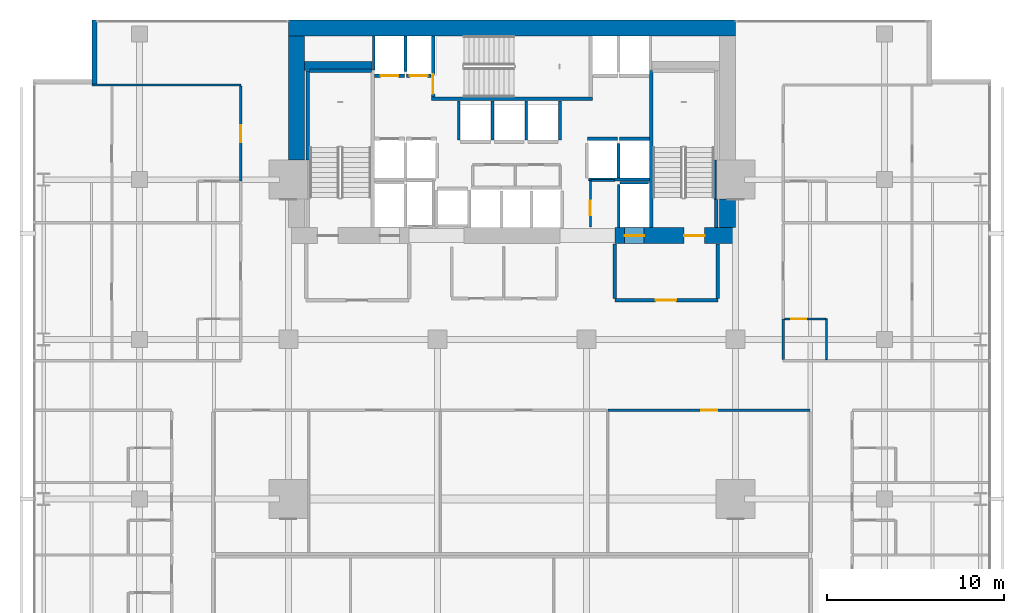
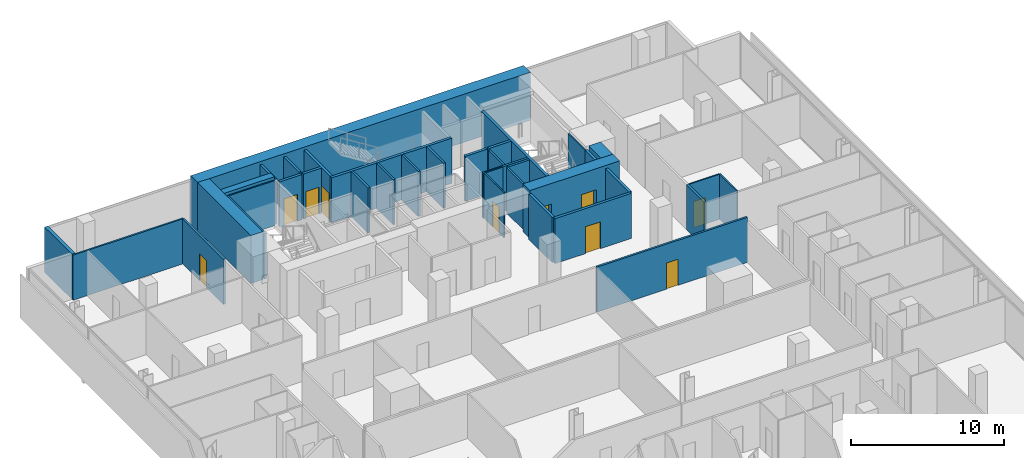
# One storey, part 37 of 41: 38 walls, 10 doors, 10 openings.
"""IFC4 building model written with IfcOpenShell, lengths in metres."""

from ifc_helpers import new_model, si_unit, direction, frame, frame_2d, origin, place, context, subcontext, project, spatial, rectangle, extrude, material, layer, layer_set, type_object, element, fill, save


model = new_model("IFC4")

# Units and contexts
model_context = context("Model", 3, precision=1e-05, world=origin(), true_north=direction((0.0, 1.0)))
body_context = subcontext(model_context, "Body", "Model", "MODEL_VIEW")
ifc_project = project(units=[si_unit("LENGTHUNIT", "METRE"), si_unit("AREAUNIT", "SQUARE_METRE"), si_unit("VOLUMEUNIT", "CUBIC_METRE"), si_unit("PLANEANGLEUNIT", "RADIAN"), si_unit("MASSUNIT", "GRAM", prefix="KILO")], contexts=[model_context])

# Site, building, storey
site_placement = place(None, origin())
site = spatial("IfcSite", under=ifc_project, at=site_placement, CompositionType="ELEMENT")
building_placement = place(site_placement, origin())
building = spatial("IfcBuilding", under=site, at=building_placement, Name="Maruvema Waterfront Hotel and Observation Tower", CompositionType="ELEMENT")
storey_placement = place(building_placement, frame((0.0, 0.0, 61.60009765625)))
storey = spatial("IfcBuildingStorey", under=building, at=storey_placement, Name="L14", CompositionType="ELEMENT", Elevation=61.60009765625)

# Wall, opening, door
ifc_material_1 = material(Name="Twin-stud acoustic gypsum drywall", Category="gypsum")
ifc_layer_1 = layer(ifc_material_1, 0.14990234375, Name="Acoustic Corridor and Suite Demising Wall 150 mm")
ifc_layer_set_1 = layer_set([ifc_layer_1], Name="Twin-stud acoustic gypsum drywall")
wall_type_1 = type_object("IfcWallType", Name="Acoustic Corridor and Suite Demising Wall 150 mm", PredefinedType="PARTITIONING", material=ifc_layer_set_1)
wall_1_placement = place(storey_placement, frame((43.221923828125, 32.0, 0.0), z_axis=(0.0, 0.0, 1.0), x_axis=(1.0, 0.0, 0.0)))
wall_1 = element("IfcWall", 1, at=wall_1_placement, inside=storey, type_object=wall_type_1, Name="L14 L14-INTN Front 4 031", PredefinedType="PARTITIONING", context=body_context, shape_type="SweptSolid", body=[
    extrude(rectangle(XDim=11.3681640625, YDim=0.14990234375, at=frame_2d((5.68408203125, 0.0))), origin(), (0.0, 0.0, 1.0), 3.60986328125),
])
opening_1_placement = place(wall_1_placement, frame((5.23388671875, 0.0, 0.0)))
opening_1 = element("IfcOpeningElement", 2, at=opening_1_placement, cuts=wall_1, Name="Opening DR-090", PredefinedType="OPENING", context=body_context, shape_type="SweptSolid", body=[
    extrude(rectangle(XDim=0.89990234375, YDim=2.10009765625, at=frame_2d((0.449951171875, 1.050048828125))), frame((0.0, 0.0849609375, 0.0), z_axis=(0.0, -1.0, 0.0), x_axis=(1.0, 0.0, 0.0)), (0.0, 0.0, 1.0), 0.169921875),
])
ifc_material_2 = material(Name="Solid-core lacquered timber leaf", Category="wood")
door_type_1 = type_object("IfcDoorType", Name="Accessible Toilet and Room Door 900x2100 mm", OperationType="NOTDEFINED", PredefinedType="DOOR", material=ifc_material_2)
door_1_placement = place(opening_1_placement, origin())
door_1 = element("IfcDoor", 3, at=door_1_placement, inside=storey, type_object=door_type_1, Name="L14 Tea Kitchenette Door", OperationType="SINGLE_SWING_LEFT", OverallHeight=2.10009765625, OverallWidth=0.89990234375, PredefinedType="DOOR", context=body_context, shape_type="SweptSolid", body=[
    extrude(rectangle(XDim=0.89990234375, YDim=2.10009765625, at=frame_2d((0.449951171875, 1.050048828125))), frame((0.0, 0.02490234375, 0.0), z_axis=(0.0, -1.0, 0.0), x_axis=(1.0, 0.0, 0.0)), (0.0, 0.0, 1.0), 0.050048828125),
])
fill(opening_1, door_1)

# Wall
wall_2_placement = place(storey_placement, frame((53.080078125, 34.860107421875, 0.0), z_axis=(0.0, 0.0, 1.0), x_axis=(0.0, 1.0, 0.0)))
element("IfcWall", 4, at=wall_2_placement, inside=storey, type_object=wall_type_1, Name="L14 Bath L14-NE1 Wall 133", PredefinedType="PARTITIONING", context=body_context, shape_type="SweptSolid", body=[
    extrude(rectangle(XDim=2.289794921875, YDim=0.14990234375, at=frame_2d((1.14501953125, 0.0))), origin(), (0.0, 0.0, 1.0), 3.60986328125),
])

# Wall, opening, door
wall_3_placement = place(storey_placement, frame((22.52001953125, 44.918701171875, 0.0), z_axis=(0.0, 0.0, 1.0), x_axis=(0.0, 1.0, 0.0)))
wall_3 = element("IfcWall", 5, at=wall_3_placement, inside=storey, type_object=wall_type_1, Name="L14 Room L14-NW2 Corridor Wall 141", PredefinedType="PARTITIONING", context=body_context, shape_type="SweptSolid", body=[
    extrude(rectangle(XDim=5.35888671875, YDim=0.14990234375, at=frame_2d((2.679443359375, 0.0))), origin(), (0.0, 0.0, 1.0), 3.60986328125),
])
opening_2_placement = place(wall_3_placement, frame((2.204345703125, 0.0, 0.0)))
opening_2 = element("IfcOpeningElement", 6, at=opening_2_placement, cuts=wall_3, Name="Opening DR-095", PredefinedType="OPENING", context=body_context, shape_type="SweptSolid", body=[
    extrude(rectangle(XDim=0.949951171875, YDim=2.14990234375, at=frame_2d((0.47509765625, 1.074951171875))), frame((0.0, 0.0849609375, 0.0), z_axis=(0.0, -1.0, 0.0), x_axis=(1.0, 0.0, 0.0)), (0.0, 0.0, 1.0), 0.169921875),
])
ifc_material_3 = material(Name="Acoustic solid-core hardwood timber leaf", Category="wood")
door_type_2 = type_object("IfcDoorType", Name="Guestroom Entrance Fire Door 950x2150 mm", OperationType="NOTDEFINED", PredefinedType="DOOR", material=ifc_material_3)
door_2_placement = place(opening_2_placement, origin())
door_2 = element("IfcDoor", 7, at=door_2_placement, inside=storey, type_object=door_type_2, Name="L14 Room L14-NW2 Entrance Door", OperationType="SINGLE_SWING_RIGHT", OverallHeight=2.14990234375, OverallWidth=0.949951171875, PredefinedType="DOOR", context=body_context, shape_type="SweptSolid", body=[
    extrude(rectangle(XDim=0.949951171875, YDim=2.14990234375, at=frame_2d((0.47509765625, 1.074951171875))), frame((0.0, 0.02490234375, 0.0), z_axis=(0.0, -1.0, 0.0), x_axis=(1.0, 0.0, 0.0)), (0.0, 0.0, 1.0), 0.050048828125),
])
fill(opening_2, door_2)

# Walls
ifc_material_4 = material(Name="Precast concrete C45/55", Category="concrete")
ifc_layer_2 = layer(ifc_material_4, 0.199951171875, Name="Core Shaft and Stairwell Enclosure Wall 200 mm")
ifc_layer_set_2 = layer_set([ifc_layer_2], Name="Precast concrete C45/55")
wall_type_2 = type_object("IfcWallType", Name="Core Shaft and Stairwell Enclosure Wall 200 mm", PredefinedType="SOLIDWALL", material=ifc_layer_set_2)
wall_4_placement = place(storey_placement, frame((26.300048828125, 46.1201171875, 0.0), z_axis=(0.0, 0.0, 1.0), x_axis=(0.0, 1.0, 0.0)))
element("IfcWall", 8, at=wall_4_placement, inside=storey, type_object=wall_type_2, Name="L14 Stairwell ST-01 Shaft Lining Wall", PredefinedType="SOLIDWALL", context=body_context, shape_type="SweptSolid", body=[
    extrude(rectangle(XDim=5.0, YDim=0.199951171875, at=frame_2d((2.5, 0.0))), origin(), (0.0, 0.0, 1.0), 3.60986328125),
])
wall_5_placement = place(storey_placement, frame((26.3798828125, 51.14990234375, 0.0), z_axis=(0.0, 0.0, 1.0), x_axis=(1.0, 0.0, 0.0)))
element("IfcWall", 9, at=wall_5_placement, inside=storey, type_object=wall_type_2, Name="L14 Stairwell ST-01 Shaft Lining Wall", PredefinedType="SOLIDWALL", context=body_context, shape_type="SweptSolid", body=[
    extrude(rectangle(XDim=3.5, YDim=0.199951171875, at=frame_2d((1.75, 0.0))), origin(), (0.0, 0.0, 1.0), 3.60986328125),
])
wall_6_placement = place(storey_placement, frame((33.25, 49.550048828125, 0.0), z_axis=(0.0, 0.0, 1.0), x_axis=(1.0, 0.0, 0.0)))
element("IfcWall", 10, at=wall_6_placement, inside=storey, type_object=wall_type_2, Name="L14 Stairwell ST-02 Shaft Wall", PredefinedType="SOLIDWALL", context=body_context, shape_type="SweptSolid", body=[
    extrude(rectangle(XDim=9.10009765625, YDim=0.199951171875, at=frame_2d((4.550048828125, 0.0))), origin(), (0.0, 0.0, 1.0), 3.60986328125),
])

# Wall, opening, door
wall_7_placement = place(storey_placement, frame((33.35009765625, 49.64990234375, 0.0), z_axis=(0.0, 0.0, 1.0), x_axis=(0.0, 1.0, 0.0)))
wall_7 = element("IfcWall", 11, at=wall_7_placement, inside=storey, type_object=wall_type_2, Name="L14 Stairwell ST-02 Shaft Wall", PredefinedType="SOLIDWALL", context=body_context, shape_type="SweptSolid", body=[
    extrude(rectangle(XDim=3.4501953125, YDim=0.199951171875, at=frame_2d((1.72509765625, 0.0))), origin(), (0.0, 0.0, 1.0), 3.60986328125),
])
opening_3_placement = place(wall_7_placement, frame((0.179931640625, 0.0, 0.0)))
opening_3 = element("IfcOpeningElement", 12, at=opening_3_placement, cuts=wall_7, Name="Opening SD-02", PredefinedType="OPENING", context=body_context, shape_type="SweptSolid", body=[
    extrude(rectangle(XDim=1.10009765625, YDim=2.14990234375, at=frame_2d((0.550048828125, 1.074951171875))), frame((0.0, 0.10986328125, 0.0), z_axis=(0.0, -1.0, 0.0), x_axis=(1.0, 0.0, 0.0)), (0.0, 0.0, 1.0), 0.219970703125),
])
ifc_material_5 = material(Name="Fire-rated galvanised steel leaf", Category="steel")
door_type_3 = type_object("IfcDoorType", Name="Central Exit Stair Fire Door 1100x2150 mm", OperationType="NOTDEFINED", PredefinedType="DOOR", material=ifc_material_5)
door_3_placement = place(opening_3_placement, frame((1.10009765625, 0.0, 0.0), z_axis=(0.0, 0.0, 1.0), x_axis=(-1.0, 0.0, 0.0)))
door_3 = element("IfcDoor", 13, at=door_3_placement, inside=storey, type_object=door_type_3, Name="L14 Exit Stair ST-02 Fire Door", OperationType="SINGLE_SWING_LEFT", OverallHeight=2.14990234375, OverallWidth=1.10009765625, PredefinedType="DOOR", context=body_context, shape_type="SweptSolid", body=[
    extrude(rectangle(XDim=1.10009765625, YDim=2.14990234375, at=frame_2d((0.550048828125, 1.074951171875))), frame((0.0, 0.02490234375, 0.0), z_axis=(0.0, -1.0, 0.0), x_axis=(1.0, 0.0, 0.0)), (0.0, 0.0, 1.0), 0.050048828125),
])
fill(opening_3, door_3)

# Walls
wall_8_placement = place(storey_placement, frame((45.64990234375, 42.300048828125, 0.0), z_axis=(0.0, 0.0, 1.0), x_axis=(0.0, 1.0, 0.0)))
element("IfcWall", 14, at=wall_8_placement, inside=storey, type_object=wall_type_2, Name="L14 Stairwell ST-03 West Shaft Wall", PredefinedType="SOLIDWALL", context=body_context, shape_type="SweptSolid", body=[
    extrude(rectangle(XDim=8.849853515625, YDim=0.199951171875, at=frame_2d((4.4248046875, 0.0))), origin(), (0.0, 0.0, 1.0), 3.60986328125),
])
wall_9_placement = place(storey_placement, frame((49.300048828125, 42.300048828125, 0.0), z_axis=(0.0, 0.0, 1.0), x_axis=(0.0, 1.0, 0.0)))
element("IfcWall", 15, at=wall_9_placement, inside=storey, type_object=wall_type_2, Name="L14 Stairwell ST-03 Shaft Lining Wall", PredefinedType="SOLIDWALL", context=body_context, shape_type="SweptSolid", body=[
    extrude(rectangle(XDim=1.579833984375, YDim=0.199951171875, at=frame_2d((0.7900390625, 0.0))), origin(), (0.0, 0.0, 1.0), 3.60986328125),
])

# Wall, opening, door
wall_10_placement = place(storey_placement, frame((30.06005859375, 50.85009765625, 0.0), z_axis=(0.0, 0.0, 1.0), x_axis=(1.0, 0.0, 0.0)))
wall_10 = element("IfcWall", 16, at=wall_10_placement, inside=storey, type_object=wall_type_2, Name="L14 Lift LF-03 Hoistway Front Wall", PredefinedType="SOLIDWALL", context=body_context, shape_type="SweptSolid", body=[
    extrude(rectangle(XDim=1.679931640625, YDim=0.199951171875, at=frame_2d((0.83984375, 0.0))), origin(), (0.0, 0.0, 1.0), 3.60986328125),
])
opening_4_placement = place(wall_10_placement, frame((0.340087890625, 0.0, 0.0)))
opening_4 = element("IfcOpeningElement", 17, at=opening_4_placement, cuts=wall_10, Name="Opening LD-01", PredefinedType="OPENING", context=body_context, shape_type="SweptSolid", body=[
    extrude(rectangle(XDim=1.0, YDim=2.14990234375, at=frame_2d((0.5, 1.074951171875))), frame((0.0, 0.10986328125, 0.0), z_axis=(0.0, -1.0, 0.0), x_axis=(1.0, 0.0, 0.0)), (0.0, 0.0, 1.0), 0.219970703125),
])
ifc_material_6 = material(Name="Brushed stainless steel Grade 316", Category="steel")
door_type_4 = type_object("IfcDoorType", Name="Passenger Lift Sliding Landing Door 1000x2150 mm", OperationType="SLIDING_TO_LEFT", PredefinedType="DOOR", material=ifc_material_6)
door_4_placement = place(opening_4_placement, frame((1.0, 0.0, 0.0), z_axis=(0.0, 0.0, 1.0), x_axis=(-1.0, 0.0, 0.0)))
door_4 = element("IfcDoor", 18, at=door_4_placement, inside=storey, type_object=door_type_4, Name="L14 Lift LF-03 Sliding Landing Door", OperationType="SLIDING_TO_LEFT", OverallHeight=2.14990234375, OverallWidth=1.0, PredefinedType="DOOR", context=body_context, shape_type="SweptSolid", body=[
    extrude(rectangle(XDim=1.0, YDim=2.14990234375, at=frame_2d((0.5, 1.074951171875))), frame((0.0, 0.02490234375, 0.0), z_axis=(0.0, -1.0, 0.0), x_axis=(1.0, 0.0, 0.0)), (0.0, 0.0, 1.0), 0.050048828125),
])
fill(opening_4, door_4)

wall_11_placement = place(storey_placement, frame((31.860107421875, 50.85009765625, 0.0), z_axis=(0.0, 0.0, 1.0), x_axis=(1.0, 0.0, 0.0)))
wall_11 = element("IfcWall", 19, at=wall_11_placement, inside=storey, type_object=wall_type_2, Name="L14 Lift LF-04 Hoistway Front Wall", PredefinedType="SOLIDWALL", context=body_context, shape_type="SweptSolid", body=[
    extrude(rectangle(XDim=1.3798828125, YDim=0.199951171875, at=frame_2d((0.68994140625, 0.0))), origin(), (0.0, 0.0, 1.0), 3.60986328125),
])
opening_5_placement = place(wall_11_placement, frame((0.18994140625, 0.0, 0.0)))
opening_5 = element("IfcOpeningElement", 20, at=opening_5_placement, cuts=wall_11, Name="Opening LD-01", PredefinedType="OPENING", context=body_context, shape_type="SweptSolid", body=[
    extrude(rectangle(XDim=1.0, YDim=2.14990234375, at=frame_2d((0.5, 1.074951171875))), frame((0.0, 0.10986328125, 0.0), z_axis=(0.0, -1.0, 0.0), x_axis=(1.0, 0.0, 0.0)), (0.0, 0.0, 1.0), 0.219970703125),
])
door_5_placement = place(opening_5_placement, frame((1.0, 0.0, 0.0), z_axis=(0.0, 0.0, 1.0), x_axis=(-1.0, 0.0, 0.0)))
door_5 = element("IfcDoor", 21, at=door_5_placement, inside=storey, type_object=door_type_4, Name="L14 Lift LF-04 Sliding Landing Door", OperationType="SLIDING_TO_LEFT", OverallHeight=2.14990234375, OverallWidth=1.0, PredefinedType="DOOR", context=body_context, shape_type="SweptSolid", body=[
    extrude(rectangle(XDim=1.0, YDim=2.14990234375, at=frame_2d((0.5, 1.074951171875))), frame((0.0, 0.02490234375, 0.0), z_axis=(0.0, -1.0, 0.0), x_axis=(1.0, 0.0, 0.0)), (0.0, 0.0, 1.0), 0.050048828125),
])
fill(opening_5, door_5)

# Walls
for number, where, z_axis, x_axis, name in (
    (22, (42.06005859375, 47.300048828125, 0.0), (0.0, 0.0, 1.0), (1.0, 0.0, 0.0), "L14 Lift LF-05 Hoistway Front Wall"),
    (23, (43.860107421875, 47.300048828125, 0.0), (0.0, 0.0, 1.0), (1.0, 0.0, 0.0), "L14 Lift LF-06 Hoistway Front Wall"),
):
    element("IfcWall", number, at=place(storey_placement, frame(where, z_axis=z_axis, x_axis=x_axis)), inside=storey, type_object=wall_type_2, Name=name, PredefinedType="SOLIDWALL", context=body_context, shape_type="SweptSolid", body=[
        extrude(rectangle(XDim=1.679931640625, YDim=0.199951171875, at=frame_2d((0.83984375, 0.0))), origin(), (0.0, 0.0, 1.0), 3.60986328125),
    ])
ifc_material_7 = material(Name="Concrete C70/85", Category="concrete")
ifc_layer_3 = layer(ifc_material_7, 0.5, Name="Core Shear Wall 500 mm")
ifc_layer_set_3 = layer_set([ifc_layer_3], Name="Concrete C70/85")
wall_type_3 = type_object("IfcWallType", Name="Core Shear Wall 500 mm", PredefinedType="SHEAR", material=ifc_layer_set_3)
wall_12_placement = place(storey_placement, frame((26.10009765625, 51.39990234375, 0.0), z_axis=(0.0, 0.0, 1.0), x_axis=(1.0, 0.0, 0.0)))
element("IfcWall", 24, at=wall_12_placement, inside=storey, type_object=wall_type_3, Name="L14 Internal Core Shear Wall NW 500 mm", PredefinedType="SHEAR", context=body_context, shape_type="SweptSolid", body=[
    extrude(rectangle(XDim=3.7998046875, YDim=0.5, at=frame_2d((1.89990234375, 0.0))), origin(), (0.0, 0.0, 1.0), 3.849853515625),
])
ifc_material_8 = material(Name="Concrete C80/95", Category="concrete")
ifc_layer_4 = layer(ifc_material_8, 0.89990234375, Name="Core Shear Wall 900 mm")
ifc_layer_set_4 = layer_set([ifc_layer_4], Name="Concrete C80/95")
wall_type_4 = type_object("IfcWallType", Name="Core Shear Wall 900 mm", PredefinedType="SHEAR", material=ifc_layer_set_4)
wall_13_placement = place(storey_placement, frame((25.199951171875, 53.550048828125, 0.0), z_axis=(0.0, 0.0, 1.0), x_axis=(1.0, 0.0, 0.0)))
element("IfcWall", 25, at=wall_13_placement, inside=storey, type_object=wall_type_4, Name="L14 North Core Shear Wall", PredefinedType="SHEAR", context=body_context, shape_type="SweptSolid", body=[
    extrude(rectangle(XDim=25.199951171875, YDim=0.89990234375, at=frame_2d((12.60009765625, 0.0))), origin(), (0.0, 0.0, 1.0), 3.849853515625),
])

# Wall, openings, doors
wall_14_placement = place(storey_placement, frame((43.60009765625, 41.85009765625, 0.0), z_axis=(0.0, 0.0, 1.0), x_axis=(1.0, 0.0, 0.0)))
wall_14 = element("IfcWall", 26, at=wall_14_placement, inside=storey, type_object=wall_type_4, Name="L14 South-East Core Shear Wall", PredefinedType="SHEAR", context=body_context, shape_type="SweptSolid", body=[
    extrude(rectangle(XDim=6.7998046875, YDim=0.89990234375, at=frame_2d((3.39990234375, 0.0))), origin(), (0.0, 0.0, 1.0), 3.849853515625),
])
opening_6_placement = place(wall_14_placement, frame((3.89990234375, 0.0, 0.0)))
opening_6 = element("IfcOpeningElement", 27, at=opening_6_placement, cuts=wall_14, Name="Opening SD-01", PredefinedType="OPENING", context=body_context, shape_type="SweptSolid", body=[
    extrude(rectangle(XDim=1.14990234375, YDim=2.14990234375, at=frame_2d((0.574951171875, 1.074951171875))), frame((0.0, 0.4599609375, 0.0), z_axis=(0.0, -1.0, 0.0), x_axis=(1.0, 0.0, 0.0)), (0.0, 0.0, 1.0), 0.919921875),
])
opening_7_placement = place(wall_14_placement, frame((0.550048828125, 0.0, 0.0)))
opening_7 = element("IfcOpeningElement", 28, at=opening_7_placement, cuts=wall_14, Name="Opening LD-03", PredefinedType="OPENING", context=body_context, shape_type="SweptSolid", body=[
    extrude(rectangle(XDim=1.10009765625, YDim=2.199951171875, at=frame_2d((0.550048828125, 1.10009765625))), frame((0.0, 0.4599609375, 0.0), z_axis=(0.0, -1.0, 0.0), x_axis=(1.0, 0.0, 0.0)), (0.0, 0.0, 1.0), 0.919921875),
])
ifc_material_9 = material(Name="Fire-rated galvanised steel leaf", Category="steel")
door_type_5 = type_object("IfcDoorType", Name="Exit Stair Fire Door 1150x2150 mm", OperationType="NOTDEFINED", PredefinedType="DOOR", material=ifc_material_9)
door_6_placement = place(opening_6_placement, origin())
door_6 = element("IfcDoor", 29, at=door_6_placement, inside=storey, type_object=door_type_5, Name="L14 Exit Stair ST-03 Fire Door", OperationType="SINGLE_SWING_RIGHT", OverallHeight=2.14990234375, OverallWidth=1.14990234375, PredefinedType="DOOR", context=body_context, shape_type="SweptSolid", body=[
    extrude(rectangle(XDim=1.14990234375, YDim=2.14990234375, at=frame_2d((0.574951171875, 1.074951171875))), frame((0.0, 0.02490234375, 0.0), z_axis=(0.0, -1.0, 0.0), x_axis=(1.0, 0.0, 0.0)), (0.0, 0.0, 1.0), 0.050048828125),
])
fill(opening_6, door_6)
ifc_material_10 = material(Name="Brushed stainless steel Grade 316", Category="steel")
door_type_6 = type_object("IfcDoorType", Name="Firefighting Lift Sliding Landing Door 1100x2200 mm", OperationType="SLIDING_TO_LEFT", PredefinedType="DOOR", material=ifc_material_10)
door_7_placement = place(opening_7_placement, frame((1.10009765625, 0.0, 0.0), z_axis=(0.0, 0.0, 1.0), x_axis=(-1.0, 0.0, 0.0)))
door_7 = element("IfcDoor", 30, at=door_7_placement, inside=storey, type_object=door_type_6, Name="L14 Firefighting Lift FL-02 Landing Door", OperationType="SLIDING_TO_LEFT", OverallHeight=2.199951171875, OverallWidth=1.10009765625, PredefinedType="DOOR", context=body_context, shape_type="SweptSolid", body=[
    extrude(rectangle(XDim=1.10009765625, YDim=2.199951171875, at=frame_2d((0.550048828125, 1.10009765625))), frame((0.0, 0.02490234375, 0.0), z_axis=(0.0, -1.0, 0.0), x_axis=(1.0, 0.0, 0.0)), (0.0, 0.0, 1.0), 0.050048828125),
])
fill(opening_7, door_7)

# Walls
wall_15_placement = place(storey_placement, frame((25.64990234375, 46.10009765625, 0.0), z_axis=(0.0, 0.0, 1.0), x_axis=(0.0, 1.0, 0.0)))
element("IfcWall", 31, at=wall_15_placement, inside=storey, type_object=wall_type_4, Name="L14 West-North Core Shear Wall", PredefinedType="SHEAR", context=body_context, shape_type="SweptSolid", body=[
    extrude(rectangle(XDim=7.0, YDim=0.89990234375, at=frame_2d((3.5, 0.0))), origin(), (0.0, 0.0, 1.0), 3.849853515625),
])
wall_16_placement = place(storey_placement, frame((49.949951171875, 42.300048828125, 0.0), z_axis=(0.0, 0.0, 1.0), x_axis=(0.0, 1.0, 0.0)))
element("IfcWall", 32, at=wall_16_placement, inside=storey, type_object=wall_type_4, Name="L14 East-South Core Shear Wall", PredefinedType="SHEAR", context=body_context, shape_type="SweptSolid", body=[
    extrude(rectangle(XDim=1.599853515625, YDim=0.89990234375, at=frame_2d((0.7998046875, 0.0))), origin(), (0.0, 0.0, 1.0), 3.849853515625),
])

# Wall, opening, door
ifc_material_11 = material(Name="Moisture-resistant cement-board drywall", Category="gypsum")
ifc_layer_5 = layer(ifc_material_11, 0.10009765625, Name="En-Suite Moisture-Resistant Partition 100 mm")
ifc_layer_set_5 = layer_set([ifc_layer_5], Name="Moisture-resistant cement-board drywall")
wall_type_5 = type_object("IfcWallType", Name="En-Suite Moisture-Resistant Partition 100 mm", PredefinedType="PARTITIONING", material=ifc_layer_set_5)
wall_17_placement = place(storey_placement, frame((42.219970703125, 42.35009765625, 0.0), z_axis=(0.0, 0.0, 1.0), x_axis=(0.0, 1.0, 0.0)))
wall_17 = element("IfcWall", 33, at=wall_17_placement, inside=storey, type_object=wall_type_5, Name="L14 Core Closet K2C West 015", PredefinedType="PARTITIONING", context=body_context, shape_type="SweptSolid", body=[
    extrude(rectangle(XDim=2.60986328125, YDim=0.10009765625, at=frame_2d((1.304931640625, 0.0))), origin(), (0.0, 0.0, 1.0), 3.60986328125),
])
opening_8_placement = place(wall_17_placement, frame((0.64990234375, 0.0, 0.0)))
opening_8 = element("IfcOpeningElement", 34, at=opening_8_placement, cuts=wall_17, Name="Opening DR-080", PredefinedType="OPENING", context=body_context, shape_type="SweptSolid", body=[
    extrude(rectangle(XDim=0.800048828125, YDim=2.050048828125, at=frame_2d((0.39990234375, 1.02490234375))), frame((0.0, 0.06005859375, 0.0), z_axis=(0.0, -1.0, 0.0), x_axis=(1.0, 0.0, 0.0)), (0.0, 0.0, 1.0), 0.1201171875),
])
ifc_material_12 = material(Name="Powder-coated steel access leaf", Category="steel")
door_type_7 = type_object("IfcDoorType", Name="Riser and Service Cupboard Door 800x2050 mm", OperationType="NOTDEFINED", PredefinedType="DOOR", material=ifc_material_12)
door_8_placement = place(opening_8_placement, frame((0.800048828125, 0.0, 0.0), z_axis=(0.0, 0.0, 1.0), x_axis=(-1.0, 0.0, 0.0)))
door_8 = element("IfcDoor", 35, at=door_8_placement, inside=storey, type_object=door_type_7, Name="L14 Core Housekeeping Closet Door", OperationType="SINGLE_SWING_LEFT", OverallHeight=2.050048828125, OverallWidth=0.800048828125, PredefinedType="DOOR", context=body_context, shape_type="SweptSolid", body=[
    extrude(rectangle(XDim=0.800048828125, YDim=2.050048828125, at=frame_2d((0.39990234375, 1.02490234375))), frame((0.0, 0.02490234375, 0.0), z_axis=(0.0, -1.0, 0.0), x_axis=(1.0, 0.0, 0.0)), (0.0, 0.0, 1.0), 0.050048828125),
])
fill(opening_8, door_8)

# Walls
wall_18_placement = place(storey_placement, frame((42.280029296875, 44.9599609375, 0.0), z_axis=(0.0, 0.0, 1.0), x_axis=(1.0, 0.0, 0.0)))
element("IfcWall", 36, at=wall_18_placement, inside=storey, type_object=wall_type_5, Name="L14 Core Closet K2C North 016", PredefinedType="PARTITIONING", context=body_context, shape_type="SweptSolid", body=[
    extrude(rectangle(XDim=1.300048828125, YDim=0.10009765625, at=frame_2d((0.64990234375, 0.0))), origin(), (0.0, 0.0, 1.0), 3.60986328125),
])
wall_19_placement = place(storey_placement, frame((55.530029296875, 34.860107421875, 0.0), z_axis=(0.0, 0.0, 1.0), x_axis=(0.0, 1.0, 0.0)))
element("IfcWall", 37, at=wall_19_placement, inside=storey, type_object=wall_type_5, Name="L14 En-Suite L14-NE1 E 135", PredefinedType="PARTITIONING", context=body_context, shape_type="SweptSolid", body=[
    extrude(rectangle(XDim=2.289794921875, YDim=0.10009765625, at=frame_2d((1.14501953125, 0.0))), origin(), (0.0, 0.0, 1.0), 3.60986328125),
])

# Wall, opening, door
wall_20_placement = place(storey_placement, frame((53.179931640625, 37.14990234375, 0.0), z_axis=(0.0, 0.0, 1.0), x_axis=(1.0, 0.0, 0.0)))
wall_20 = element("IfcWall", 38, at=wall_20_placement, inside=storey, type_object=wall_type_5, Name="L14 En-Suite L14-NE1 N 136", PredefinedType="PARTITIONING", context=body_context, shape_type="SweptSolid", body=[
    extrude(rectangle(XDim=2.300048828125, YDim=0.10009765625, at=frame_2d((1.14990234375, 0.0))), origin(), (0.0, 0.0, 1.0), 3.60986328125),
])
opening_9_placement = place(wall_20_placement, frame((0.35009765625, 0.0, 0.0)))
opening_9 = element("IfcOpeningElement", 39, at=opening_9_placement, cuts=wall_20, Name="Opening DR-085", PredefinedType="OPENING", context=body_context, shape_type="SweptSolid", body=[
    extrude(rectangle(XDim=0.85009765625, YDim=2.10009765625, at=frame_2d((0.425048828125, 1.050048828125))), frame((0.0, 0.06005859375, 0.0), z_axis=(0.0, -1.0, 0.0), x_axis=(1.0, 0.0, 0.0)), (0.0, 0.0, 1.0), 0.1201171875),
])
ifc_material_13 = material(Name="Moisture-resistant solid timber leaf", Category="wood")
door_type_8 = type_object("IfcDoorType", Name="En-Suite Bathroom Door 850x2100 mm", OperationType="NOTDEFINED", PredefinedType="DOOR", material=ifc_material_13)
door_9_placement = place(opening_9_placement, origin())
door_9 = element("IfcDoor", 40, at=door_9_placement, inside=storey, type_object=door_type_8, Name="L14 En-Suite L14-NE1 Door", OperationType="SINGLE_SWING_RIGHT", OverallHeight=2.10009765625, OverallWidth=0.85009765625, PredefinedType="DOOR", context=body_context, shape_type="SweptSolid", body=[
    extrude(rectangle(XDim=0.85009765625, YDim=2.10009765625, at=frame_2d((0.425048828125, 1.050048828125))), frame((0.0, 0.02490234375, 0.0), z_axis=(0.0, -1.0, 0.0), x_axis=(1.0, 0.0, 0.0)), (0.0, 0.0, 1.0), 0.050048828125),
])
fill(opening_9, door_9)

# Wall
ifc_material_14 = material(Name="Precast concrete C45/55 with honed Pernambuco granite facing", Category="masonry")
ifc_layer_6 = layer(ifc_material_14, 0.260009765625, Name="Exterior Granite Clad Spandrel and Pier Wall 260 mm")
ifc_layer_set_6 = layer_set([ifc_layer_6], Name="Precast concrete C45/55 with honed Pernambuco granite facing")
wall_type_6 = type_object("IfcWallType", Name="Exterior Granite Clad Spandrel and Pier Wall 260 mm", PredefinedType="SOLIDWALL", material=ifc_layer_set_6)
wall_21_placement = place(storey_placement, frame((14.27001953125, 50.39990234375, 0.0), z_axis=(0.0, 0.0, 1.0), x_axis=(0.0, 1.0, 0.0)))
element("IfcWall", 41, at=wall_21_placement, inside=storey, type_object=wall_type_6, Name="L14 Corner Notch Granite Pier Wall NW1", PredefinedType="SOLIDWALL", context=body_context, shape_type="SweptSolid", body=[
    extrude(rectangle(XDim=3.60009765625, YDim=0.260009765625, at=frame_2d((1.800048828125, 0.0))), origin(), (0.0, 0.0, 1.0), 3.60986328125),
])

# Wall, opening, door
ifc_material_15 = material(Name="Autoclaved cellular concrete blockwork", Category="masonry")
ifc_layer_7 = layer(ifc_material_15, 0.199951171875, Name="Fire Compartment Masonry Wall 200 mm")
ifc_layer_set_7 = layer_set([ifc_layer_7], Name="Autoclaved cellular concrete blockwork")
wall_type_7 = type_object("IfcWallType", Name="Fire Compartment Masonry Wall 200 mm", PredefinedType="PARTITIONING", material=ifc_layer_set_7)
wall_22_placement = place(storey_placement, frame((43.60009765625, 38.199951171875, 0.0), z_axis=(0.0, 0.0, 1.0), x_axis=(1.0, 0.0, 0.0)))
wall_22 = element("IfcWall", 42, at=wall_22_placement, inside=storey, type_object=wall_type_7, Name="L14 FFL East South Wall 004", PredefinedType="PARTITIONING", context=body_context, shape_type="SweptSolid", body=[
    extrude(rectangle(XDim=5.7998046875, YDim=0.199951171875, at=frame_2d((2.89990234375, 0.0))), origin(), (0.0, 0.0, 1.0), 3.60986328125),
])
opening_10_placement = place(wall_22_placement, frame((2.300048828125, 0.0, 0.0)))
opening_10 = element("IfcOpeningElement", 43, at=opening_10_placement, cuts=wall_22, Name="Opening FD-115", PredefinedType="OPENING", context=body_context, shape_type="SweptSolid", body=[
    extrude(rectangle(XDim=1.14990234375, YDim=2.14990234375, at=frame_2d((0.574951171875, 1.074951171875))), frame((0.0, 0.10986328125, 0.0), z_axis=(0.0, -1.0, 0.0), x_axis=(1.0, 0.0, 0.0)), (0.0, 0.0, 1.0), 0.219970703125),
])
ifc_material_16 = material(Name="Fire-rated galvanised steel and vision glass", Category="steel")
door_type_9 = type_object("IfcDoorType", Name="Firefighting Lobby Fire Door 1150x2150 mm", OperationType="NOTDEFINED", PredefinedType="DOOR", material=ifc_material_16)
door_10_placement = place(opening_10_placement, frame((1.14990234375, 0.0, 0.0), z_axis=(0.0, 0.0, 1.0), x_axis=(-1.0, 0.0, 0.0)))
door_10 = element("IfcDoor", 44, at=door_10_placement, inside=storey, type_object=door_type_9, Name="L14 Firefighting Lobby East Door", OperationType="SINGLE_SWING_LEFT", OverallHeight=2.14990234375, OverallWidth=1.14990234375, PredefinedType="DOOR", context=body_context, shape_type="SweptSolid", body=[
    extrude(rectangle(XDim=1.14990234375, YDim=2.14990234375, at=frame_2d((0.574951171875, 1.074951171875))), frame((0.0, 0.02490234375, 0.0), z_axis=(0.0, -1.0, 0.0), x_axis=(1.0, 0.0, 0.0)), (0.0, 0.0, 1.0), 0.050048828125),
])
fill(opening_10, door_10)

# Walls
for number, where, z_axis, x_axis, name in (
    (45, (43.60009765625, 38.31005859375, 0.0), (0.0, 0.0, 1.0), (0.0, 1.0, 0.0), "L14 FFL East West Wall 005"),
    (46, (49.39990234375, 38.31005859375, 0.0), (0.0, 0.0, 1.0), (0.0, 1.0, 0.0), "L14 FFL East East Wall 006"),
):
    element("IfcWall", number, at=place(storey_placement, frame(where, z_axis=z_axis, x_axis=x_axis)), inside=storey, type_object=wall_type_7, Name=name, PredefinedType="PARTITIONING", context=body_context, shape_type="SweptSolid", body=[
        extrude(rectangle(XDim=3.06982421875, YDim=0.199951171875, at=frame_2d((1.534912109375, 0.0))), origin(), (0.0, 0.0, 1.0), 3.60986328125),
    ])
ifc_material_17 = material(Name="Acoustic gypsum plasterboard drywall", Category="gypsum")
ifc_layer_8 = layer(ifc_material_17, 0.125, Name="Guestroom Acoustic Demising Wall 125 mm")
ifc_layer_set_8 = layer_set([ifc_layer_8], Name="Acoustic gypsum plasterboard drywall")
wall_type_8 = type_object("IfcWallType", Name="Guestroom Acoustic Demising Wall 125 mm", PredefinedType="PARTITIONING", material=ifc_layer_set_8)
wall_23_placement = place(storey_placement, frame((14.139892578125, 50.33740234375, 0.0), z_axis=(0.0, 0.0, 1.0), x_axis=(1.0, 0.0, 0.0)))
element("IfcWall", 47, at=wall_23_placement, inside=storey, type_object=wall_type_8, Name="L14 NW Top End 126", PredefinedType="PARTITIONING", context=body_context, shape_type="SweptSolid", body=[
    extrude(rectangle(XDim=8.380126953125, YDim=0.125, at=frame_2d((4.18994140625, 0.0))), origin(), (0.0, 0.0, 1.0), 3.60986328125),
])
ifc_material_18 = material(Name="Precast concrete C45/55", Category="concrete")
ifc_layer_9 = layer(ifc_material_18, 0.159912109375, Name="Lift Hoistway Divider Wall 160 mm")
ifc_layer_set_9 = layer_set([ifc_layer_9], Name="Precast concrete C45/55")
wall_type_9 = type_object("IfcWallType", Name="Lift Hoistway Divider Wall 160 mm", PredefinedType="SOLIDWALL", material=ifc_layer_set_9)
wall_24_placement = place(storey_placement, frame((43.89990234375, 44.830078125, 0.0), z_axis=(0.0, 0.0, 1.0), x_axis=(1.0, 0.0, 0.0)))
element("IfcWall", 48, at=wall_24_placement, inside=storey, type_object=wall_type_9, Name="L14 Lift FL-02 Rear Hoistway Wall", PredefinedType="SOLIDWALL", context=body_context, shape_type="SweptSolid", body=[
    extrude(rectangle(XDim=1.60009765625, YDim=0.159912109375, at=frame_2d((0.800048828125, 0.0))), origin(), (0.0, 0.0, 1.0), 3.60986328125),
])
wall_25_placement = place(storey_placement, frame((43.820068359375, 42.300048828125, 0.0), z_axis=(0.0, 0.0, 1.0), x_axis=(0.0, 1.0, 0.0)))
element("IfcWall", 49, at=wall_25_placement, inside=storey, type_object=wall_type_9, Name="L14 Lift FL-02 Inner Hoistway Wall", PredefinedType="SOLIDWALL", context=body_context, shape_type="SweptSolid", body=[
    extrude(rectangle(XDim=2.43994140625, YDim=0.159912109375, at=frame_2d((1.219970703125, 0.0))), origin(), (0.0, 0.0, 1.0), 3.60986328125),
])
wall_26_placement = place(storey_placement, frame((30.010009765625, 51.179931640625, 0.0), z_axis=(0.0, 0.0, 1.0), x_axis=(0.0, 1.0, 0.0)))
element("IfcWall", 50, at=wall_26_placement, inside=storey, type_object=wall_type_9, Name="L14 Hoistway Divider Wall", PredefinedType="SOLIDWALL", context=body_context, shape_type="SweptSolid", body=[
    extrude(rectangle(XDim=1.920166015625, YDim=0.159912109375, at=frame_2d((0.9599609375, 0.0))), origin(), (0.0, 0.0, 1.0), 3.60986328125),
])
wall_27_placement = place(storey_placement, frame((31.800048828125, 51.10009765625, 0.0), z_axis=(0.0, 0.0, 1.0), x_axis=(0.0, 1.0, 0.0)))
element("IfcWall", 51, at=wall_27_placement, inside=storey, type_object=wall_type_9, Name="L14 Hoistway Divider Wall", PredefinedType="SOLIDWALL", context=body_context, shape_type="SweptSolid", body=[
    extrude(rectangle(XDim=2.0, YDim=0.159912109375, at=frame_2d((1.0, 0.0))), origin(), (0.0, 0.0, 1.0), 3.60986328125),
])
wall_28_placement = place(storey_placement, frame((43.800048828125, 45.10009765625, 0.0), z_axis=(0.0, 0.0, 1.0), x_axis=(0.0, 1.0, 0.0)))
element("IfcWall", 52, at=wall_28_placement, inside=storey, type_object=wall_type_9, Name="L14 Hoistway Divider Wall", PredefinedType="SOLIDWALL", context=body_context, shape_type="SweptSolid", body=[
    extrude(rectangle(XDim=1.949951171875, YDim=0.159912109375, at=frame_2d((0.97509765625, 0.0))), origin(), (0.0, 0.0, 1.0), 3.60986328125),
])
wall_29_placement = place(storey_placement, frame((42.10009765625, 45.010009765625, 0.0), z_axis=(0.0, 0.0, 1.0), x_axis=(1.0, 0.0, 0.0)))
element("IfcWall", 53, at=wall_29_placement, inside=storey, type_object=wall_type_9, Name="L14 Hoistway Divider Wall", PredefinedType="SOLIDWALL", context=body_context, shape_type="SweptSolid", body=[
    extrude(rectangle(XDim=3.449951171875, YDim=0.159912109375, at=frame_2d((1.72509765625, 0.0))), origin(), (0.0, 0.0, 1.0), 3.60986328125),
])
for number, where, z_axis, x_axis, name in (
    (54, (34.800048828125, 47.25, 0.0), (0.0, 0.0, 1.0), (0.0, 1.0, 0.0), "L14 Hoistway Divider Wall"),
    (55, (36.699951171875, 47.25, 0.0), (0.0, 0.0, 1.0), (0.0, 1.0, 0.0), "L14 Hoistway Divider Wall"),
    (56, (38.60009765625, 47.25, 0.0), (0.0, 0.0, 1.0), (0.0, 1.0, 0.0), "L14 Hoistway Divider Wall"),
    (57, (40.5, 47.25, 0.0), (0.0, 0.0, 1.0), (0.0, 1.0, 0.0), "L14 Hoistway Divider Wall"),
):
    element("IfcWall", number, at=place(storey_placement, frame(where, z_axis=z_axis, x_axis=x_axis)), inside=storey, type_object=wall_type_9, Name=name, PredefinedType="SOLIDWALL", context=body_context, shape_type="SweptSolid", body=[
        extrude(rectangle(XDim=2.18994140625, YDim=0.159912109375, at=frame_2d((1.094970703125, 0.0))), origin(), (0.0, 0.0, 1.0), 3.60986328125),
    ])
ifc_material_19 = material(Name="Precast concrete C45/55", Category="concrete")
ifc_layer_10 = layer(ifc_material_19, 0.10009765625, Name="Stairwell Stringer Cheek Wall 100 mm")
ifc_layer_set_10 = layer_set([ifc_layer_10], Name="Precast concrete C45/55")
wall_type_10 = type_object("IfcWallType", Name="Stairwell Stringer Cheek Wall 100 mm", PredefinedType="SOLIDWALL", material=ifc_layer_set_10)
wall_30_placement = place(storey_placement, frame((49.248046875, 43.89990234375, 0.0), z_axis=(0.0, 0.0, 1.0), x_axis=(0.0, 1.0, 0.0)))
element("IfcWall", 58, at=wall_30_placement, inside=storey, type_object=wall_type_10, Name="L14 Stairwell ST-03 Mega-Column Cheek Wall", PredefinedType="SOLIDWALL", context=body_context, shape_type="SweptSolid", body=[
    extrude(rectangle(XDim=2.2001953125, YDim=0.10009765625, at=frame_2d((1.10009765625, 0.0))), origin(), (0.0, 0.0, 1.0), 3.60986328125),
])

save(model, "model.ifc")
